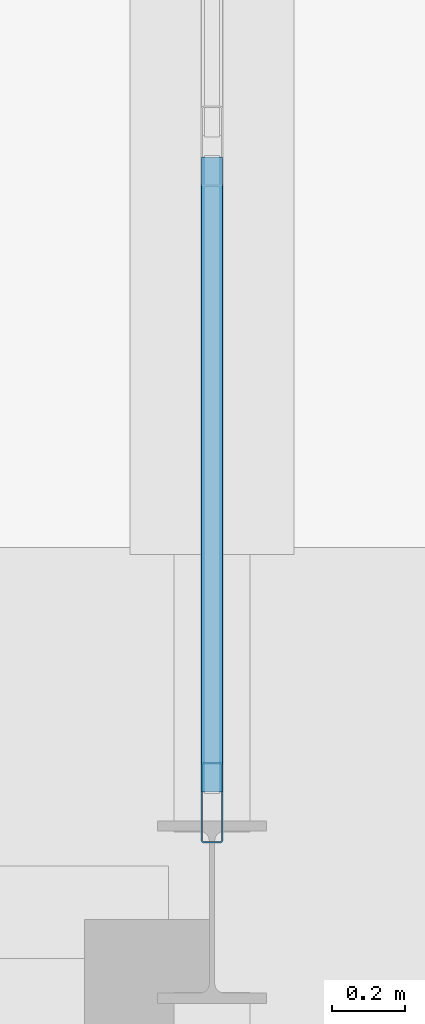
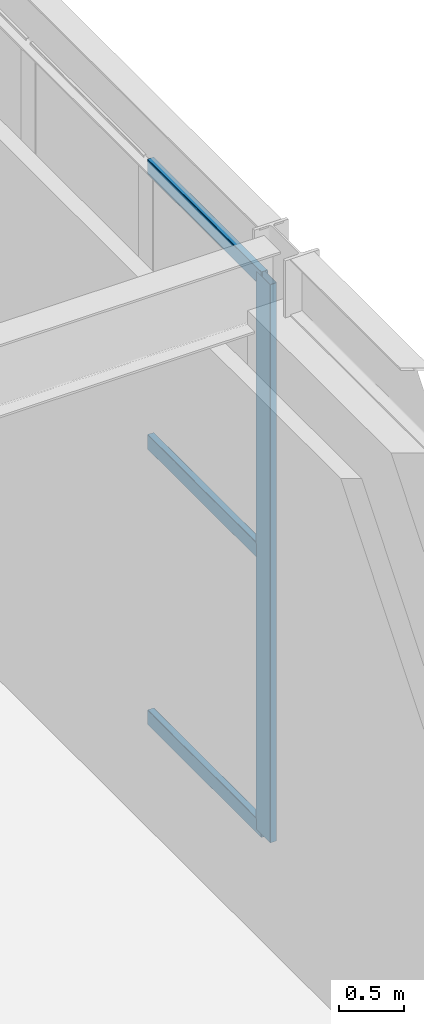
# One storey, part 86 of 142: 4 members, 1 element without a shape of its own.
"""IFC4 building model written with IfcOpenShell, lengths in metres."""

import ifcopenshell
import ifcopenshell.guid

model = None  # the IFC model being written
_history = None  # IfcOwnerHistory: only IFC2X3 demands one
_inside = {}  # id of a spatial element -> (the spatial element, [elements in it])
_under = {}  # id of a project, library or spatial element -> (it, [spatial elements below it])
_declared = {}  # id of a project -> (the project, [libraries it declares])
_typed = {}  # id of a type object -> (the type object, [elements of that type])
_made_of = {}  # id of a material, layer set ... -> (it, [elements and type objects made of it])


def new_model(schema):
    """Start an empty IFC model of exactly this schema.

    Asked for "IFC4X3", IfcOpenShell would pick the latest addendum, in which some entities
    have other attributes; the version numbers below select the first issue.
    IFC2X3 requires an IfcOwnerHistory on every rooted entity: one is made here for all.
    """
    global model, _history
    if schema == "IFC4X3":
        model = ifcopenshell.file(schema_version=(4, 3, 0, 0))
    else:
        model = ifcopenshell.file(schema=schema)
    _inside.clear()
    _under.clear()
    _declared.clear()
    _typed.clear()
    _made_of.clear()
    _history = None
    if model.schema == "IFC2X3":
        org = make("IfcOrganization", Name="unknown")
        user = make(
            "IfcPersonAndOrganization",
            ThePerson=make("IfcPerson", FamilyName="unknown"),
            TheOrganization=org,
        )
        app = make(
            "IfcApplication",
            ApplicationDeveloper=org,
            Version="unknown",
            ApplicationFullName="unknown",
            ApplicationIdentifier="unknown",
        )
        _history = make(
            "IfcOwnerHistory",
            OwningUser=user,
            OwningApplication=app,
            ChangeAction="ADDED",
            CreationDate=0,
        )
    return model


def make(cls, **values):
    """One entity of the class cls with the attributes given. An attribute that is None is left unset."""
    return model.create_entity(
        cls, **{name: value for name, value in values.items() if value is not None}
    )


def rooted(cls, **values):
    """An entity with a GlobalId (a new one), such as an element, a storey or a relation."""
    return make(cls, GlobalId=ifcopenshell.guid.new(), OwnerHistory=_history, **values)


def si_unit(unit_type, name, prefix=None):
    """IfcSIUnit, for example si_unit("LENGTHUNIT", "METRE", prefix="MILLI")."""
    return make("IfcSIUnit", UnitType=unit_type, Prefix=prefix, Name=name)


def assignment(units):
    """IfcUnitAssignment: the units of a project."""
    return None if units is None else make("IfcUnitAssignment", Units=units)


def point(xyz):
    """IfcCartesianPoint."""
    return None if xyz is None else make("IfcCartesianPoint", Coordinates=xyz)


def direction(xyz):
    """IfcDirection."""
    return None if xyz is None else make("IfcDirection", DirectionRatios=xyz)


def frame(location, z_axis=None, x_axis=None):
    """IfcAxis2Placement3D, a coordinate frame: its origin and axes. An axis left out is left unset."""
    return make(
        "IfcAxis2Placement3D",
        Location=point(location),
        Axis=direction(z_axis),
        RefDirection=direction(x_axis),
    )


def frame_2d(location, x_axis=None):
    """IfcAxis2Placement2D, a coordinate frame in the plane: its origin and x axis."""
    return make(
        "IfcAxis2Placement2D", Location=point(location), RefDirection=direction(x_axis)
    )


def origin():
    """The frame at (0, 0, 0) with its axes left unset."""
    return frame((0.0, 0.0, 0.0))


def origin_2d():
    """The frame at (0, 0) in the plane with its x axis left unset."""
    return frame_2d((0.0, 0.0))


def place(relative_to, where):
    """IfcLocalPlacement: puts the frame where relative to a parent placement (None: the world)."""
    return make(
        "IfcLocalPlacement", PlacementRelTo=relative_to, RelativePlacement=where
    )


def context(
    kind, dimensions, precision=None, world=None, true_north=None, identifier=None
):
    """IfcGeometricRepresentationContext, for example the 3D "Model" context."""
    return make(
        "IfcGeometricRepresentationContext",
        ContextIdentifier=identifier,
        ContextType=kind,
        CoordinateSpaceDimension=dimensions,
        Precision=precision,
        WorldCoordinateSystem=world,
        TrueNorth=true_north,
    )


def subcontext(parent, identifier, kind, view, scale=None):
    """IfcGeometricRepresentationSubContext, for example "Body" below "Model"."""
    return make(
        "IfcGeometricRepresentationSubContext",
        ContextIdentifier=identifier,
        ContextType=kind,
        ParentContext=parent,
        TargetScale=scale,
        TargetView=view,
    )


def project(units=None, contexts=None):
    """IfcProject with its units and contexts."""
    return rooted(
        "IfcProject",
        Name="project",
        RepresentationContexts=contexts,
        UnitsInContext=assignment(units),
    )


def spatial(cls, under=None, at=None, **own):
    """A site, building, storey or space (cls), placed at a placement, below another one or the project."""
    s = rooted(cls, ObjectPlacement=at, **own)
    if under is not None:
        _under.setdefault(under.id(), (under, []))[1].append(s)
    return s


def profile(cls, at=None, kind="AREA", **sizes):
    """A parametric profile (cls). Its sizes go by their IFC names, for example OverallWidth=200.0."""
    return make(cls, ProfileType=kind, Position=at, **sizes)


def hollow_rectangle(**sizes):
    """IfcRectangleHollowProfileDef."""
    return profile("IfcRectangleHollowProfileDef", **sizes)


def extrude(swept, where, along, depth):
    """IfcExtrudedAreaSolid: the profile swept, set in the frame where, extruded along a direction by depth."""
    return make(
        "IfcExtrudedAreaSolid",
        SweptArea=swept,
        Position=where,
        ExtrudedDirection=direction(along),
        Depth=depth,
    )


def shape(context_of_items, identifier, shape_type, items):
    """IfcShapeRepresentation: the items that make up one representation, for example the "Body"."""
    return make(
        "IfcShapeRepresentation",
        ContextOfItems=context_of_items,
        RepresentationIdentifier=identifier,
        RepresentationType=shape_type,
        Items=items,
    )


def material(Name=None, Category=None):
    """IfcMaterial."""
    return make("IfcMaterial", Name=Name, Category=Category)


def material_profile(
    of_material, cross_section, Name=None, Category=None, Priority=None
):
    """IfcMaterialProfile: a cross section and its material."""
    return make(
        "IfcMaterialProfile",
        Name=Name,
        Material=of_material,
        Profile=cross_section,
        Priority=Priority,
        Category=Category,
    )


def profile_set(profiles, Name=None, composite=None):
    """IfcMaterialProfileSet."""
    return make(
        "IfcMaterialProfileSet",
        Name=Name,
        MaterialProfiles=profiles,
        CompositeProfile=composite,
    )


def made_of(thing, what):
    """Note that an element or type object is made of a material, layer set ...; save() writes the relation."""
    if what is not None:
        _made_of.setdefault(what.id(), (what, []))[1].append(thing)
    return thing


def type_object(cls, material=None, **own):
    """A type object (cls), such as IfcWallType, which elements share."""
    return made_of(rooted(cls, **own), material)


def element(
    cls,
    number,
    at=None,
    inside=None,
    cuts=None,
    type_object=None,
    material=None,
    context=None,
    identifier="Body",
    shape_type=None,
    held_by="IfcProductDefinitionShape",
    body=None,
    shapes=None,
    **own,
):
    """One element of the class cls, such as IfcWall. Its Tag is "e" and its number.

    at: its placement. inside: the storey or other place that contains it. cuts: it is an
    opening in that element (IfcRelVoidsElement). A single representation is given by context,
    identifier, shape_type and body (its items); several are given by shapes. held_by: the class
    of the entity that holds the representations. save() writes the other relations.
    """
    e = rooted(cls, Tag="e%d" % number, ObjectPlacement=at, **own)
    if body is not None:
        shapes = [shape(context, identifier, shape_type, body)]
    if shapes is not None:
        e.Representation = make(held_by, Representations=shapes)
    if inside is not None:
        _inside.setdefault(inside.id(), (inside, []))[1].append(e)
    if cuts is not None:
        rooted(
            "IfcRelVoidsElement", RelatingBuildingElement=cuts, RelatedOpeningElement=e
        )
    if type_object is not None:
        _typed.setdefault(type_object.id(), (type_object, []))[1].append(e)
    return made_of(e, material)


def aggregate(whole, parts):
    """IfcRelAggregates: a whole, such as a stair, and the parts it consists of."""
    return rooted("IfcRelAggregates", RelatingObject=whole, RelatedObjects=parts)


def save(model, path):
    """Write the relations noted so far, then the file.

    IfcRelAggregates (storeys below a building ...), IfcRelContainedInSpatialStructure (elements
    in a storey), IfcRelDefinesByType, IfcRelAssociatesMaterial and IfcRelDeclares: one each for
    every whole, place, type object, material and project.
    """
    for whole, parts in _under.values():
        aggregate(whole, parts)
    for where, things in _inside.values():
        rooted(
            "IfcRelContainedInSpatialStructure",
            RelatedElements=things,
            RelatingStructure=where,
        )
    for kind, things in _typed.values():
        rooted("IfcRelDefinesByType", RelatedObjects=things, RelatingType=kind)
    for what, things in _made_of.values():
        rooted("IfcRelAssociatesMaterial", RelatedObjects=things, RelatingMaterial=what)
    for by, libraries in _declared.values():
        rooted("IfcRelDeclares", RelatingContext=by, RelatedDefinitions=libraries)
    model.write(path)


model = new_model("IFC4")

# Units and contexts
model_context = context("Model", 3, precision=1e-05, world=origin(), true_north=direction((0.0, 1.0)))
body_context = subcontext(model_context, "Body", "Model", "MODEL_VIEW")
ifc_project = project(units=[si_unit("LENGTHUNIT", "METRE"), si_unit("AREAUNIT", "SQUARE_METRE"), si_unit("VOLUMEUNIT", "CUBIC_METRE"), si_unit("PLANEANGLEUNIT", "RADIAN"), si_unit("MASSUNIT", "GRAM", prefix="KILO")], contexts=[model_context])

# Site, building, storey
site_placement = place(None, origin())
site = spatial("IfcSite", under=ifc_project, at=site_placement, CompositionType="ELEMENT")
building_placement = place(site_placement, origin())
building = spatial("IfcBuilding", under=site, at=building_placement, Name="Coralgate Yard Interchange", CompositionType="ELEMENT")
storey_placement = place(building_placement, origin())
storey = spatial("IfcBuildingStorey", under=building, at=storey_placement, Name="L00", CompositionType="ELEMENT", Elevation=0.0)

# Curtain wall, members
ifc_material_1 = material(Name="Anodised coastal aluminium and solar-control low-E glass", Category="aluminium")
curtain_wall_type = type_object("IfcCurtainWallType", Name="CW-CW-L00-B", PredefinedType="NOTDEFINED", material=ifc_material_1)
curtain_wall_placement = place(storey_placement, origin())
curtain_wall = element("IfcCurtainWall", 1, at=curtain_wall_placement, inside=storey, type_object=curtain_wall_type, Name="L00 unitised curtain wall CW-L00-E-18-03", PredefinedType="NOTDEFINED")
ifc_material_2 = material(Name="Anodised coastal aluminium 6063-T6", Category="aluminium")
ifc_material_profile_1 = material_profile(ifc_material_2, hollow_rectangle(XDim=0.06005859375, YDim=0.219970703125, WallThickness=0.00390625, InnerFilletRadius=0.00390625, OuterFilletRadius=0.008056640625, at=origin_2d()), Name="ALU 60x220x4")
ifc_profile_set_1 = profile_set([ifc_material_profile_1], Name="Anodised coastal aluminium 6063-T6")
member_type_1 = type_object("IfcMemberType", Name="MB-MUL-220", PredefinedType="MULLION", material=ifc_profile_set_1)
member_1_placement = place(storey_placement, frame((182.39990234375, 29.10009765625, 0.0), z_axis=(0.0, 0.0, 1.0), x_axis=(1.0, 0.0, 0.0)))
member_1 = element("IfcMember", 2, at=member_1_placement, type_object=member_type_1, Name="CW-L00-E-18-03 vertical mullion 6", PredefinedType="MULLION", context=body_context, shape_type="SweptSolid", body=[
    extrude(hollow_rectangle(XDim=0.06005859375, YDim=0.219970703125, WallThickness=0.00390625, InnerFilletRadius=0.00390625, OuterFilletRadius=0.008056640625, at=origin_2d()), origin(), (0.0, 0.0, 1.0), 5.216796875),
])
ifc_material_profile_2 = material_profile(ifc_material_2, hollow_rectangle(XDim=0.06005859375, YDim=0.139892578125, WallThickness=0.00341796875, InnerFilletRadius=0.00341796875, OuterFilletRadius=0.007080078125, at=origin_2d()), Name="ALU 60x140x3.5")
ifc_profile_set_2 = profile_set([ifc_material_profile_2], Name="Anodised coastal aluminium 6063-T6")
member_type_2 = type_object("IfcMemberType", Name="MB-TRN-140", PredefinedType="USERDEFINED", material=ifc_profile_set_2)
member_2_placement = place(storey_placement, frame((182.39990234375, 30.8701171875, 0.034912109375), z_axis=(0.0, -1.0, 0.0), x_axis=(1.0, 0.0, 0.0)))
member_2 = element("IfcMember", 3, at=member_2_placement, type_object=member_type_2, Name="CW-L00-E-18-03 horizontal transom 5-1", ObjectType="TRANSOM", PredefinedType="USERDEFINED", context=body_context, shape_type="SweptSolid", body=[
    extrude(hollow_rectangle(XDim=0.06005859375, YDim=0.139892578125, WallThickness=0.00341796875, InnerFilletRadius=0.00341796875, OuterFilletRadius=0.007080078125, at=origin_2d()), origin(), (0.0, 0.0, 1.0), 1.740234375),
])
member_3_placement = place(storey_placement, frame((182.39990234375, 30.8701171875, 2.6083984375), z_axis=(0.0, -1.0, 0.0), x_axis=(1.0, 0.0, 0.0)))
member_3 = element("IfcMember", 4, at=member_3_placement, type_object=member_type_2, Name="CW-L00-E-18-03 horizontal transom 5-2", ObjectType="TRANSOM", PredefinedType="USERDEFINED", context=body_context, shape_type="SweptSolid", body=[
    extrude(hollow_rectangle(XDim=0.06005859375, YDim=0.139892578125, WallThickness=0.00341796875, InnerFilletRadius=0.00341796875, OuterFilletRadius=0.007080078125, at=origin_2d()), origin(), (0.0, 0.0, 1.0), 1.740234375),
])
member_4_placement = place(storey_placement, frame((182.39990234375, 30.8701171875, 5.181884765625), z_axis=(0.0, -1.0, 0.0), x_axis=(1.0, 0.0, 0.0)))
member_4 = element("IfcMember", 5, at=member_4_placement, type_object=member_type_2, Name="CW-L00-E-18-03 horizontal transom 5-3", ObjectType="TRANSOM", PredefinedType="USERDEFINED", context=body_context, shape_type="SweptSolid", body=[
    extrude(hollow_rectangle(XDim=0.06005859375, YDim=0.139892578125, WallThickness=0.00341796875, InnerFilletRadius=0.00341796875, OuterFilletRadius=0.007080078125, at=origin_2d()), origin(), (0.0, 0.0, 1.0), 1.740234375),
])
aggregate(curtain_wall, [member_1, member_2, member_3, member_4])

save(model, "model.ifc")
